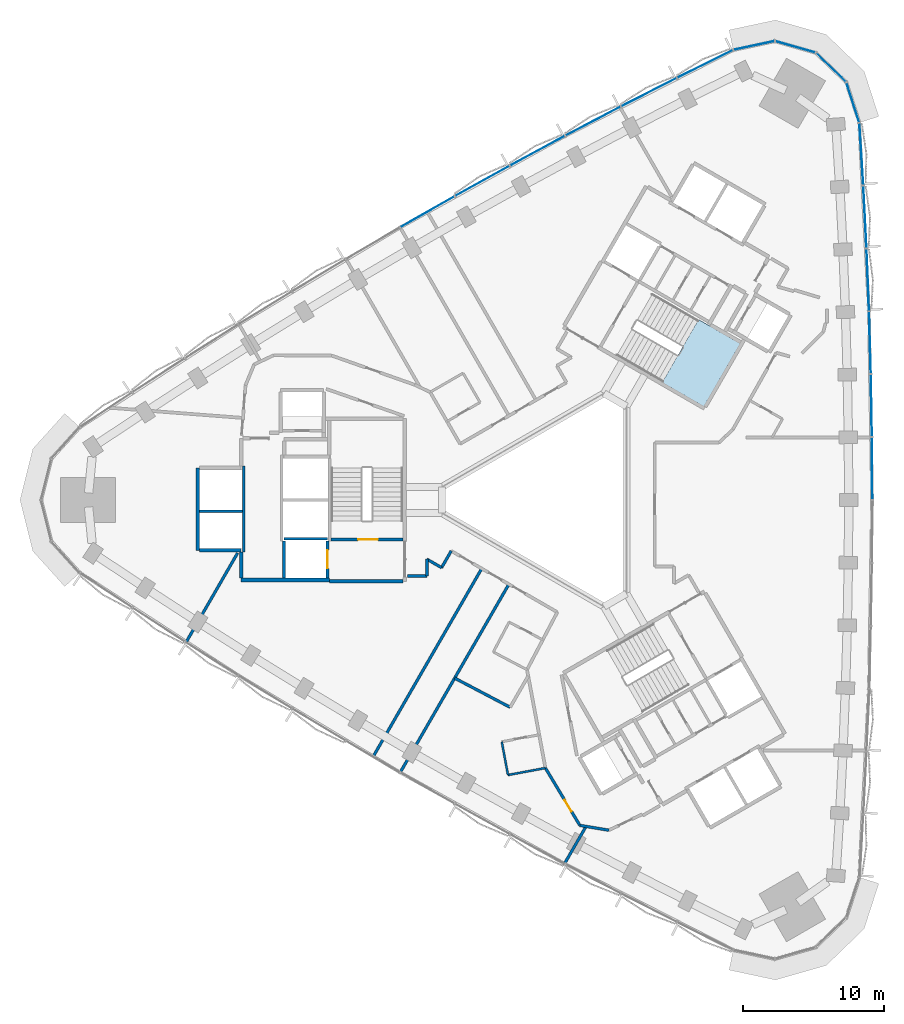
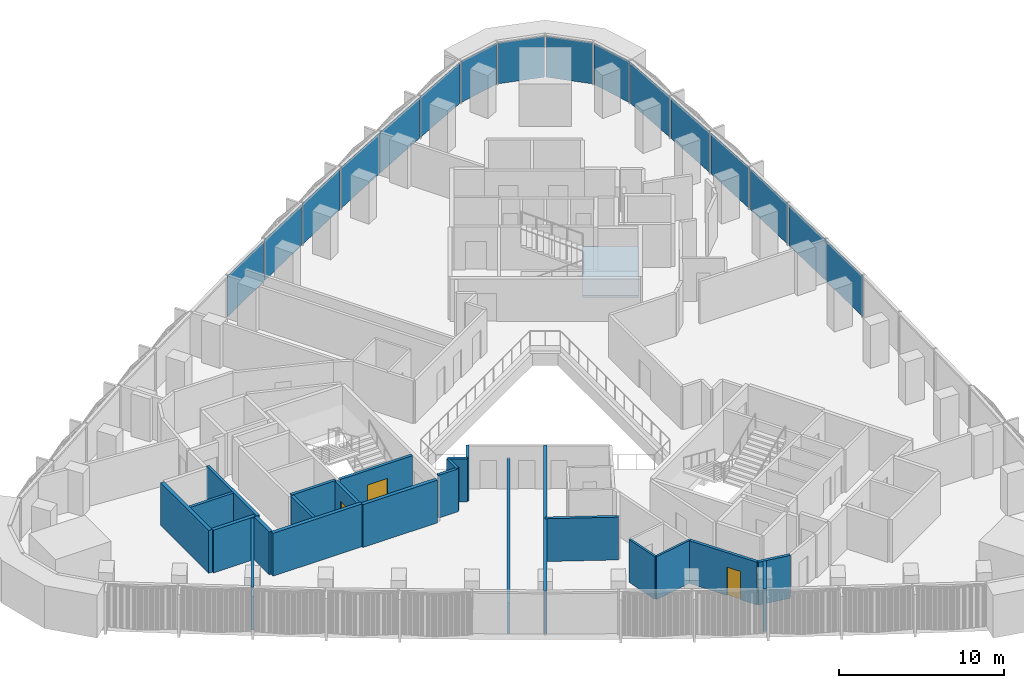
# One storey, part 7 of 15: 24 walls, 16 plates, 3 doors, 1 slab, 3 openings, 3 elements without a shape of their own.
"""IFC4 building model written with IfcOpenShell, lengths in metres."""

from ifc_helpers import new_model, si_unit, direction, frame, frame_2d, origin, origin_2d, place, context, subcontext, project, spatial, polyline, rectangle, outline, extrude, material, layer, layer_set, type_object, element, fill, aggregate, save


model = new_model("IFC4")

# Units and contexts
model_context = context("Model", 3, precision=1e-05, world=origin(), true_north=direction((0.0, 1.0)))
body_context = subcontext(model_context, "Body", "Model", "MODEL_VIEW")
ifc_project = project(units=[si_unit("LENGTHUNIT", "METRE"), si_unit("AREAUNIT", "SQUARE_METRE"), si_unit("VOLUMEUNIT", "CUBIC_METRE"), si_unit("PLANEANGLEUNIT", "RADIAN"), si_unit("MASSUNIT", "GRAM", prefix="KILO")], contexts=[model_context])

# Site, building, storey
site_placement = place(None, origin())
site = spatial("IfcSite", under=ifc_project, at=site_placement, CompositionType="ELEMENT")
building_placement = place(site_placement, origin())
building = spatial("IfcBuilding", under=site, at=building_placement, Name="Tamra Quay Hotel Tower", CompositionType="ELEMENT")
storey_placement = place(building_placement, frame((0.0, 0.0, 86.60009765625)))
storey = spatial("IfcBuildingStorey", under=building, at=storey_placement, Name="L20", CompositionType="ELEMENT", Elevation=86.60009765625)

# Stair, slab
ifc_material_1 = material(Name="Exit stair 2200 24 risers 150.0 going 342")
stair_type = type_object("IfcStairType", Name="Exit stair 2200 24 risers 150.0 going 342", PredefinedType="HALF_TURN_STAIR", material=ifc_material_1)
stair_placement = place(storey_placement, origin())
stair = element("IfcStair", 1, at=stair_placement, inside=storey, type_object=stair_type, Name="L20 Exit stair ST1", PredefinedType="HALF_TURN_STAIR")
ifc_material_2 = material(Name="Concrete M70", Category="concrete")
ifc_layer_1 = layer(ifc_material_2, 0.175048828125)
ifc_layer_set_1 = layer_set([ifc_layer_1], Name="Concrete M70 stair landing 180")
slab_type = type_object("IfcSlabType", Name="Concrete M70 stair landing 180", PredefinedType="LANDING", material=ifc_layer_set_1)
slab_placement = place(storey_placement, frame((0.0, 0.0, 1.625)))
slab = element("IfcSlab", 2, at=slab_placement, type_object=slab_type, Name="ST1 landing 1", PredefinedType="LANDING", context=body_context, shape_type="SweptSolid", body=[
    extrude(outline(polyline([(7.425048828125, 8.336669921875), (10.385009765625, 6.627685546875), (12.964599609375, 11.095458984375), (10.00439453125, 12.804443359375), (7.425048828125, 8.336669921875)])), origin(), (0.0, 0.0, 1.0), 0.1748046875),
])
aggregate(stair, [slab])

# Curtain wall, plates
ifc_material_3 = material(Name="Aluminium 6063 anodised dark grey", Category="aluminium")
curtain_wall_type_1 = type_object("IfcCurtainWallType", Name="CW1 CURTAIN WALL", PredefinedType="NOTDEFINED", material=ifc_material_3)
curtain_wall_1_placement = place(storey_placement, origin())
curtain_wall_1 = element("IfcCurtainWall", 3, at=curtain_wall_1_placement, inside=storey, type_object=curtain_wall_type_1, Name="CW1 east face L20", PredefinedType="NOTDEFINED")
ifc_material_4 = material(Name="Glass clear laminated low-iron", Category="glass")
ifc_layer_2 = layer(ifc_material_4, 0.033935546875)
ifc_layer_set_2 = layer_set([ifc_layer_2], Name="GLASS PANEL CW1 Z2")
plate_type_1 = type_object("IfcPlateType", Name="GLASS PANEL CW1 Z2", PredefinedType="CURTAIN_PANEL", material=ifc_layer_set_2)
plate_1_placement = place(storey_placement, frame((22.3203125, 2.23193359375, 0.0), z_axis=(0.0, 0.0, 1.0), x_axis=(-0.005712677225, 0.999983682526, 0.0)))
plate_1 = element("IfcPlate", 4, at=plate_1_placement, type_object=plate_type_1, Name="CW1 glass L20.E.7", PredefinedType="CURTAIN_PANEL", context=body_context, shape_type="SweptSolid", body=[
    extrude(rectangle(XDim=4.364013671875, YDim=0.033935546875, at=origin_2d()), origin(), (0.0, 0.0, 1.0), 3.034912109375),
])
plate_2_placement = place(storey_placement, frame((22.269287109375, 6.695556640625, 0.0), z_axis=(0.0, 0.0, 1.0), x_axis=(-0.017133900698, 0.999853203949, 0.0)))
plate_2 = element("IfcPlate", 5, at=plate_2_placement, type_object=plate_type_1, Name="CW1 glass L20.E.8", PredefinedType="CURTAIN_PANEL", context=body_context, shape_type="SweptSolid", body=[
    extrude(rectangle(XDim=4.364013671875, YDim=0.033935546875, at=origin_2d()), origin(), (0.0, 0.0, 1.0), 3.034912109375),
])
plate_3_placement = place(storey_placement, frame((22.167236328125, 11.158203125, 0.0), z_axis=(0.0, 0.0, 1.0), x_axis=(-0.028546238865, 0.999592473084, 0.0)))
plate_3 = element("IfcPlate", 6, at=plate_3_placement, type_object=plate_type_1, Name="CW1 glass L20.E.9", PredefinedType="CURTAIN_PANEL", context=body_context, shape_type="SweptSolid", body=[
    extrude(rectangle(XDim=4.364013671875, YDim=0.033935546875, at=origin_2d()), origin(), (0.0, 0.0, 1.0), 3.034912109375),
])
plate_4_placement = place(storey_placement, frame((22.014404296875, 15.61962890625, 0.0), z_axis=(0.0, 0.0, 1.0), x_axis=(-0.039943755239, 0.999201929751, 0.0)))
plate_4 = element("IfcPlate", 7, at=plate_4_placement, type_object=plate_type_1, Name="CW1 glass L20.E.10", PredefinedType="CURTAIN_PANEL", context=body_context, shape_type="SweptSolid", body=[
    extrude(rectangle(XDim=4.364013671875, YDim=0.033935546875, at=origin_2d()), origin(), (0.0, 0.0, 1.0), 3.034912109375),
])
plate_5_placement = place(storey_placement, frame((21.810791015625, 20.078857421875, 0.0), z_axis=(0.0, 0.0, 1.0), x_axis=(-0.051320550821, 0.998682232276, 0.0)))
plate_5 = element("IfcPlate", 8, at=plate_5_placement, type_object=plate_type_1, Name="CW1 glass L20.E.11", PredefinedType="CURTAIN_PANEL", context=body_context, shape_type="SweptSolid", body=[
    extrude(rectangle(XDim=4.364013671875, YDim=0.033935546875, at=origin_2d()), origin(), (0.0, 0.0, 1.0), 3.034912109375),
])
plate_6_placement = place(storey_placement, frame((21.556396484375, 24.53515625, 0.0), z_axis=(0.0, 0.0, 1.0), x_axis=(-0.062670105733, 0.998034296929, 0.0)))
plate_6 = element("IfcPlate", 9, at=plate_6_placement, type_object=plate_type_1, Name="CW1 glass L20.E.12", PredefinedType="CURTAIN_PANEL", context=body_context, shape_type="SweptSolid", body=[
    extrude(rectangle(XDim=4.363525390625, YDim=0.033935546875, at=origin_2d()), origin(), (0.0, 0.0, 1.0), 3.034912109375),
])
plate_7_placement = place(storey_placement, frame((20.9521484375, 28.197509765625, 0.0), z_axis=(0.0, 0.0, 1.0), x_axis=(-0.307790863622, 0.951454036867, 0.0)))
plate_7 = element("IfcPlate", 10, at=plate_7_placement, type_object=plate_type_1, Name="CW1 glass L20.E.13", PredefinedType="CURTAIN_PANEL", context=body_context, shape_type="SweptSolid", body=[
    extrude(rectangle(XDim=2.916748046875, YDim=0.033935546875, at=origin_2d()), origin(), (0.0, 0.0, 1.0), 3.034912109375),
])
plate_8_placement = place(storey_placement, frame((19.4033203125, 30.680908203125, 0.0), z_axis=(0.0, 0.0, 1.0), x_axis=(-0.71904127153, 0.694967373217, 0.0)))
plate_8 = element("IfcPlate", 11, at=plate_8_placement, type_object=plate_type_1, Name="CW1 glass L20.E.14", PredefinedType="CURTAIN_PANEL", context=body_context, shape_type="SweptSolid", body=[
    extrude(rectangle(XDim=2.916748046875, YDim=0.033935546875, at=origin_2d()), origin(), (0.0, 0.0, 1.0), 3.034912109375),
])
plate_9_placement = place(storey_placement, frame((16.868896484375, 32.144287109375, 0.0), z_axis=(0.0, 0.0, 1.0), x_axis=(-0.961380035772, 0.275224320906, 0.0)))
plate_9 = element("IfcPlate", 12, at=plate_9_placement, type_object=plate_type_1, Name="CW1 glass L20.E.15", PredefinedType="CURTAIN_PANEL", context=body_context, shape_type="SweptSolid", body=[
    extrude(rectangle(XDim=2.916748046875, YDim=0.033935546875, at=origin_2d()), origin(), (0.0, 0.0, 1.0), 3.034912109375),
])
plate_10_placement = place(storey_placement, frame((13.94384765625, 32.243896484375, 0.0), z_axis=(0.0, 0.0, 1.0), x_axis=(-0.977878798271, -0.209172311484, 0.0)))
plate_10 = element("IfcPlate", 13, at=plate_10_placement, type_object=plate_type_1, Name="CW1 glass L20.E.16", PredefinedType="CURTAIN_PANEL", context=body_context, shape_type="SweptSolid", body=[
    extrude(rectangle(XDim=2.916748046875, YDim=0.033935546875, at=origin_2d()), origin(), (0.0, 0.0, 1.0), 3.034912109375),
])
aggregate(curtain_wall_1, [plate_1, plate_2, plate_3, plate_4, plate_5, plate_6, plate_7, plate_8, plate_9, plate_10])

curtain_wall_type_2 = type_object("IfcCurtainWallType", Name="CW2 CURTAIN WALL", PredefinedType="NOTDEFINED", material=ifc_material_3)
curtain_wall_2_placement = place(storey_placement, origin())
curtain_wall_2 = element("IfcCurtainWall", 14, at=curtain_wall_2_placement, inside=storey, type_object=curtain_wall_type_2, Name="CW2 north-west face L20", PredefinedType="NOTDEFINED")
ifc_layer_3 = layer(ifc_material_4, 0.033935546875)
ifc_layer_set_3 = layer_set([ifc_layer_3], Name="GLASS PANEL CW2 Z2")
plate_type_2 = type_object("IfcPlateType", Name="GLASS PANEL CW2 Z2", PredefinedType="CURTAIN_PANEL", material=ifc_layer_set_3)
plate_11_placement = place(storey_placement, frame((10.469970703125, 30.935791015625, 0.0), z_axis=(0.0, 0.0, 1.0), x_axis=(-0.895658107856, -0.444743244842, 0.0)))
plate_11 = element("IfcPlate", 15, at=plate_11_placement, type_object=plate_type_2, Name="CW2 glass L20.NW.1", PredefinedType="CURTAIN_PANEL", context=body_context, shape_type="SweptSolid", body=[
    extrude(rectangle(XDim=4.363525390625, YDim=0.033935546875, at=origin_2d()), origin(), (0.0, 0.0, 1.0), 3.034912109375),
])
plate_12_placement = place(storey_placement, frame((6.4833984375, 28.927978515625, 0.0), z_axis=(0.0, 0.0, 1.0), x_axis=(-0.89054445887, -0.454896215391, 0.0)))
plate_12 = element("IfcPlate", 16, at=plate_12_placement, type_object=plate_type_2, Name="CW2 glass L20.NW.2", PredefinedType="CURTAIN_PANEL", context=body_context, shape_type="SweptSolid", body=[
    extrude(rectangle(XDim=4.364013671875, YDim=0.033935546875, at=origin_2d()), origin(), (0.0, 0.0, 1.0), 3.034912109375),
])
plate_13_placement = place(storey_placement, frame((2.519775390625, 26.874755859375, 0.0), z_axis=(0.0, 0.0, 1.0), x_axis=(-0.885306132294, -0.465008658116, 0.0)))
plate_13 = element("IfcPlate", 17, at=plate_13_placement, type_object=plate_type_2, Name="CW2 glass L20.NW.3", PredefinedType="CURTAIN_PANEL", context=body_context, shape_type="SweptSolid", body=[
    extrude(rectangle(XDim=4.364013671875, YDim=0.033935546875, at=origin_2d()), origin(), (0.0, 0.0, 1.0), 3.034912109375),
])
plate_14_placement = place(storey_placement, frame((-1.420166015625, 24.776611328125, 0.0), z_axis=(0.0, 0.0, 1.0), x_axis=(-0.879945594555, -0.475074468502, 0.0)))
plate_14 = element("IfcPlate", 18, at=plate_14_placement, type_object=plate_type_2, Name="CW2 glass L20.NW.4", PredefinedType="CURTAIN_PANEL", context=body_context, shape_type="SweptSolid", body=[
    extrude(rectangle(XDim=4.364013671875, YDim=0.033935546875, at=origin_2d()), origin(), (0.0, 0.0, 1.0), 3.034912109375),
])
plate_15_placement = place(storey_placement, frame((-5.336181640625, 22.633544921875, 0.0), z_axis=(0.0, 0.0, 1.0), x_axis=(-0.874465225024, -0.485088208704, 0.0)))
plate_15 = element("IfcPlate", 19, at=plate_15_placement, type_object=plate_type_2, Name="CW2 glass L20.NW.5", PredefinedType="CURTAIN_PANEL", context=body_context, shape_type="SweptSolid", body=[
    extrude(rectangle(XDim=4.364013671875, YDim=0.033935546875, at=origin_2d()), origin(), (0.0, 0.0, 1.0), 3.034912109375),
])
plate_16_placement = place(storey_placement, frame((-9.227294921875, 20.44580078125, 0.0), z_axis=(0.0, 0.0, 1.0), x_axis=(-0.86886761105, -0.495044517663, 0.0)))
plate_16 = element("IfcPlate", 20, at=plate_16_placement, type_object=plate_type_2, Name="CW2 glass L20.NW.6", PredefinedType="CURTAIN_PANEL", context=body_context, shape_type="SweptSolid", body=[
    extrude(rectangle(XDim=4.364013671875, YDim=0.033935546875, at=origin_2d()), origin(), (0.0, 0.0, 1.0), 3.034912109375),
])
aggregate(curtain_wall_2, [plate_11, plate_12, plate_13, plate_14, plate_15, plate_16])

# Wall
ifc_layer_4 = layer(ifc_material_2, 0.199951171875)
ifc_layer_set_4 = layer_set([ifc_layer_4], Name="Concrete M70 core wall 200")
wall_type_1 = type_object("IfcWallType", Name="Concrete M70 core wall 200", PredefinedType="SHEAR", material=ifc_layer_set_4)
wall_1_placement = place(storey_placement, frame((-22.26220703125, 2.400146484375, 0.0), z_axis=(0.0, 0.0, 1.0), x_axis=(0.0, -1.0, 0.0)))
element("IfcWall", 21, at=wall_1_placement, inside=storey, type_object=wall_type_1, Name="CW2", PredefinedType="SHEAR", context=body_context, shape_type="SweptSolid", body=[
    extrude(rectangle(XDim=6.100341796875, YDim=0.199951171875, at=frame_2d((3.05029296875, 0.0))), origin(), (0.0, 0.0, 1.0), 3.1748046875),
])

# Wall, opening, door
wall_2_placement = place(storey_placement, frame((-10.96337890625, -2.800048828125, 0.0), z_axis=(0.0, 0.0, 1.0), x_axis=(-1.0, 0.0, 0.0)))
wall_2 = element("IfcWall", 22, at=wall_2_placement, inside=storey, type_object=wall_type_1, Name="CW2", PredefinedType="SHEAR", context=body_context, shape_type="SweptSolid", body=[
    extrude(rectangle(XDim=5.097900390625, YDim=0.199951171875, at=frame_2d((2.548828125, 0.0))), origin(), (0.0, 0.0, 1.0), 3.1748046875),
])
opening_1_placement = place(wall_2_placement, frame((1.77392578125, 0.0, 0.0)))
opening_1 = element("IfcOpeningElement", 23, at=opening_1_placement, cuts=wall_2, Name="Opening FD2", PredefinedType="OPENING", context=body_context, shape_type="SweptSolid", body=[
    extrude(rectangle(XDim=1.39990234375, YDim=2.10009765625, at=frame_2d((0.699951171875, 1.050048828125))), frame((0.0, 0.10986328125, 0.0), z_axis=(0.0, -1.0, 0.0), x_axis=(1.0, 0.0, 0.0)), (0.0, 0.0, 1.0), 0.219970703125),
])
ifc_material_5 = material(Name="Core door FD2 1400x2100 LH")
door_type_1 = type_object("IfcDoorType", Name="Core door FD2 1400x2100 LH", OperationType="NOTDEFINED", PredefinedType="DOOR", material=ifc_material_5)
door_1_placement = place(opening_1_placement, origin())
door_1 = element("IfcDoor", 24, at=door_1_placement, inside=storey, type_object=door_type_1, Name="FD2", OperationType="SINGLE_SWING_LEFT", OverallHeight=2.10009765625, OverallWidth=1.39990234375, PredefinedType="DOOR", context=body_context, shape_type="SweptSolid", body=[
    extrude(rectangle(XDim=1.39990234375, YDim=2.10009765625, at=frame_2d((0.699951171875, 1.050048828125))), frame((0.0, 0.02490234375, 0.0), z_axis=(0.0, -1.0, 0.0), x_axis=(1.0, 0.0, 0.0)), (0.0, 0.0, 1.0), 0.050048828125),
])
fill(opening_1, door_1)

# Walls
wall_3_placement = place(storey_placement, frame((-22.36328125, -0.800048828125, 0.0), z_axis=(0.0, 0.0, 1.0), x_axis=(-1.0, 0.0, 0.0)))
element("IfcWall", 25, at=wall_3_placement, inside=storey, type_object=wall_type_1, Name="CW2", PredefinedType="SHEAR", context=body_context, shape_type="SweptSolid", body=[
    extrude(rectangle(XDim=3.048095703125, YDim=0.199951171875, at=frame_2d((1.52392578125, 0.0))), origin(), (0.0, 0.0, 1.0), 3.1748046875),
])
wall_4_placement = place(storey_placement, frame((-19.412353515625, -2.75, 0.0), z_axis=(0.0, 0.0, 1.0), x_axis=(1.0, 0.0, 0.0)))
element("IfcWall", 26, at=wall_4_placement, inside=storey, type_object=wall_type_1, Name="CW2", PredefinedType="SHEAR", context=body_context, shape_type="SweptSolid", body=[
    extrude(rectangle(XDim=3.10009765625, YDim=0.199951171875, at=frame_2d((1.550048828125, 0.0))), origin(), (0.0, 0.0, 1.0), 3.1748046875),
])

# Wall, opening, door
wall_5_placement = place(storey_placement, frame((-16.312255859375, -2.898193359375, 0.0), z_axis=(0.0, 0.0, 1.0), x_axis=(0.0, -1.0, 0.0)))
wall_5 = element("IfcWall", 27, at=wall_5_placement, inside=storey, type_object=wall_type_1, Name="CW2", PredefinedType="SHEAR", context=body_context, shape_type="SweptSolid", body=[
    extrude(rectangle(XDim=2.65087890625, YDim=0.199951171875, at=frame_2d((1.325439453125, 0.0))), origin(), (0.0, 0.0, 1.0), 3.1748046875),
])
opening_2_placement = place(wall_5_placement, frame((0.65185546875, 0.0, 0.0)))
opening_2 = element("IfcOpeningElement", 28, at=opening_2_placement, cuts=wall_5, Name="Opening LD", PredefinedType="OPENING", context=body_context, shape_type="SweptSolid", body=[
    extrude(rectangle(XDim=1.300048828125, YDim=2.10009765625, at=frame_2d((0.64990234375, 1.050048828125))), frame((0.0, 0.10986328125, 0.0), z_axis=(0.0, -1.0, 0.0), x_axis=(1.0, 0.0, 0.0)), (0.0, 0.0, 1.0), 0.219970703125),
])
ifc_material_6 = material(Name="Landing door LD 1300 sliding to left")
door_type_2 = type_object("IfcDoorType", Name="Landing door LD 1300 sliding to left", OperationType="NOTDEFINED", PredefinedType="DOOR", material=ifc_material_6)
door_2_placement = place(opening_2_placement, origin())
door_2 = element("IfcDoor", 29, at=door_2_placement, inside=storey, type_object=door_type_2, Name="LD", OperationType="SLIDING_TO_LEFT", OverallHeight=2.10009765625, OverallWidth=1.300048828125, PredefinedType="DOOR", context=body_context, shape_type="SweptSolid", body=[
    extrude(rectangle(XDim=1.300048828125, YDim=2.10009765625, at=frame_2d((0.64990234375, 1.050048828125))), frame((0.0, 0.02490234375, 0.0), z_axis=(0.0, -1.0, 0.0), x_axis=(1.0, 0.0, 0.0)), (0.0, 0.0, 1.0), 0.050048828125),
])
fill(opening_2, door_2)

# Walls
wall_6_placement = place(storey_placement, frame((-19.412353515625, -5.549072265625, 0.0), z_axis=(0.0, 0.0, 1.0), x_axis=(0.0, 1.0, 0.0)))
element("IfcWall", 30, at=wall_6_placement, inside=storey, type_object=wall_type_1, Name="CW2", PredefinedType="SHEAR", context=body_context, shape_type="SweptSolid", body=[
    extrude(rectangle(XDim=2.65087890625, YDim=0.199951171875, at=frame_2d((1.325439453125, 0.0))), origin(), (0.0, 0.0, 1.0), 3.1748046875),
])
ifc_layer_5 = layer(ifc_material_2, 0.25)
ifc_layer_set_5 = layer_set([ifc_layer_5], Name="Concrete M70 core wall 250")
wall_type_2 = type_object("IfcWallType", Name="Concrete M70 core wall 250", PredefinedType="SHEAR", material=ifc_layer_set_5)
wall_7_placement = place(storey_placement, frame((-16.187255859375, -5.675048828125, 0.0), z_axis=(0.0, 0.0, 1.0), x_axis=(-1.0, 0.0, 0.0)))
element("IfcWall", 31, at=wall_7_placement, inside=storey, type_object=wall_type_2, Name="CW1", PredefinedType="SHEAR", context=body_context, shape_type="SweptSolid", body=[
    extrude(rectangle(XDim=6.25, YDim=0.25, at=frame_2d((3.125, 0.0))), origin(), (0.0, 0.0, 1.0), 3.1748046875),
])
wall_8_placement = place(storey_placement, frame((-25.537353515625, -3.574951171875, 0.0), z_axis=(0.0, 0.0, 1.0), x_axis=(0.0, 1.0, 0.0)))
element("IfcWall", 32, at=wall_8_placement, inside=storey, type_object=wall_type_2, Name="CW1", PredefinedType="SHEAR", context=body_context, shape_type="SweptSolid", body=[
    extrude(rectangle(XDim=5.849853515625, YDim=0.25, at=frame_2d((2.9248046875, 0.0))), origin(), (0.0, 0.0, 1.0), 3.1748046875),
])
wall_9_placement = place(storey_placement, frame((-10.962646484375, -5.77490234375, 0.0), z_axis=(0.0, 0.0, 1.0), x_axis=(-1.0, 0.0, 0.0)))
element("IfcWall", 33, at=wall_9_placement, inside=storey, type_object=wall_type_2, Name="CW1", PredefinedType="SHEAR", context=body_context, shape_type="SweptSolid", body=[
    extrude(rectangle(XDim=5.224609375, YDim=0.25, at=frame_2d((2.6123046875, 0.0))), origin(), (0.0, 0.0, 1.0), 3.1748046875),
])
wall_10_placement = place(storey_placement, frame((-22.437255859375, -3.574951171875, 0.0), z_axis=(0.0, 0.0, 1.0), x_axis=(-1.0, 0.0, 0.0)))
element("IfcWall", 34, at=wall_10_placement, inside=storey, type_object=wall_type_2, Name="CW1", PredefinedType="SHEAR", context=body_context, shape_type="SweptSolid", body=[
    extrude(rectangle(XDim=2.974609375, YDim=0.25, at=frame_2d((1.4873046875, 0.0))), origin(), (0.0, 0.0, 1.0), 3.1748046875),
])
wall_11_placement = place(storey_placement, frame((-22.437255859375, -5.549560546875, 0.0), z_axis=(0.0, 0.0, 1.0), x_axis=(0.0, 1.0, 0.0)))
element("IfcWall", 35, at=wall_11_placement, inside=storey, type_object=wall_type_2, Name="CW1", PredefinedType="SHEAR", context=body_context, shape_type="SweptSolid", body=[
    extrude(rectangle(XDim=1.84912109375, YDim=0.25, at=frame_2d((0.924560546875, 0.0))), origin(), (0.0, 0.0, 1.0), 3.1748046875),
])
ifc_material_7 = material(Name="Partition corridor wall")
ifc_layer_6 = layer(ifc_material_7, 0.199951171875)
ifc_layer_set_6 = layer_set([ifc_layer_6], Name="Partition corridor wall")
wall_type_3 = type_object("IfcWallType", Name="Partition corridor wall", PredefinedType="PARTITIONING", material=ifc_layer_set_6)
wall_12_placement = place(storey_placement, frame((-10.65234375, -5.39990234375, 0.0), z_axis=(0.0, 0.0, 1.0), x_axis=(1.0, 0.0, 0.0)))
element("IfcWall", 36, at=wall_12_placement, inside=storey, type_object=wall_type_3, Name="W-C", PredefinedType="PARTITIONING", context=body_context, shape_type="SweptSolid", body=[
    extrude(rectangle(XDim=1.390380859375, YDim=0.199951171875, at=frame_2d((0.6953125, 0.0))), origin(), (0.0, 0.0, 1.0), 3.1748046875),
])
for number, where, z_axis, x_axis, name in (
    (37, (-9.261962890625, -5.39990234375, 0.0), (0.0, 0.0, 1.0), (0.0, 1.0, 0.0), "W-C"),
    (38, (-9.261962890625, -4.199951171875, 0.0), (0.0, 0.0, 1.0), (0.865955154139, -0.50012165622, 0.0), "W-C"),
):
    element("IfcWall", number, at=place(storey_placement, frame(where, z_axis=z_axis, x_axis=x_axis)), inside=storey, type_object=wall_type_3, Name=name, PredefinedType="PARTITIONING", context=body_context, shape_type="SweptSolid", body=[
        extrude(rectangle(XDim=1.199951171875, YDim=0.199951171875, at=frame_2d((0.60009765625, 0.0))), origin(), (0.0, 0.0, 1.0), 3.1748046875),
    ])
wall_13_placement = place(storey_placement, frame((-8.222900390625, -4.800048828125, 0.0), z_axis=(0.0, 0.0, 1.0), x_axis=(0.499804837697, 0.866138051476, 0.0)))
element("IfcWall", 39, at=wall_13_placement, inside=storey, type_object=wall_type_3, Name="W-C", PredefinedType="PARTITIONING", context=body_context, shape_type="SweptSolid", body=[
    extrude(rectangle(XDim=1.3681640625, YDim=0.199951171875, at=frame_2d((0.68408203125, 0.0))), origin(), (0.0, 0.0, 1.0), 3.1748046875),
])

# Wall, opening, door
wall_14_placement = place(storey_placement, frame((-0.85791015625, -19.01708984375, 0.0), z_axis=(0.0, 0.0, 1.0), x_axis=(0.514586543775, -0.857438446167, 0.0)))
wall_14 = element("IfcWall", 40, at=wall_14_placement, inside=storey, type_object=wall_type_3, Name="W-C", PredefinedType="PARTITIONING", context=body_context, shape_type="SweptSolid", body=[
    extrude(rectangle(XDim=4.745361328125, YDim=0.199951171875, at=frame_2d((2.37255859375, 0.0))), origin(), (0.0, 0.0, 1.0), 3.1748046875),
])
opening_3_placement = place(wall_14_placement, frame((2.64990234375, 0.0, 0.0)))
opening_3 = element("IfcOpeningElement", 41, at=opening_3_placement, cuts=wall_14, Name="Opening L20-D017", PredefinedType="OPENING", context=body_context, shape_type="SweptSolid", body=[
    extrude(rectangle(XDim=0.949951171875, YDim=2.10009765625, at=frame_2d((0.47509765625, 1.050048828125))), frame((0.0, 0.10986328125, 0.0), z_axis=(0.0, -1.0, 0.0), x_axis=(1.0, 0.0, 0.0)), (0.0, 0.0, 1.0), 0.219970703125),
])
ifc_material_8 = material(Name="Door guest room 950x2100")
door_type_3 = type_object("IfcDoorType", Name="Door guest room 950x2100", OperationType="NOTDEFINED", PredefinedType="DOOR", material=ifc_material_8)
door_3_placement = place(opening_3_placement, frame((0.949951171875, 0.0, 0.0), z_axis=(0.0, 0.0, 1.0), x_axis=(-1.0, 0.0, 0.0)))
door_3 = element("IfcDoor", 42, at=door_3_placement, inside=storey, type_object=door_type_3, Name="L20-D017", OperationType="SINGLE_SWING_LEFT", OverallHeight=2.10009765625, OverallWidth=0.949951171875, PredefinedType="DOOR", context=body_context, shape_type="SweptSolid", body=[
    extrude(rectangle(XDim=0.949951171875, YDim=2.10009765625, at=frame_2d((0.47509765625, 1.050048828125))), frame((0.0, 0.02490234375, 0.0), z_axis=(0.0, -1.0, 0.0), x_axis=(1.0, 0.0, 0.0)), (0.0, 0.0, 1.0), 0.050048828125),
])
fill(opening_3, door_3)

# Walls
wall_15_placement = place(storey_placement, frame((1.583984375, -23.0859375, 0.0), z_axis=(0.0, 0.0, 1.0), x_axis=(0.986516952697, -0.163659103145, 0.0)))
element("IfcWall", 43, at=wall_15_placement, inside=storey, type_object=wall_type_3, Name="W-C", PredefinedType="PARTITIONING", context=body_context, shape_type="SweptSolid", body=[
    extrude(rectangle(XDim=2.0869140625, YDim=0.199951171875, at=frame_2d((1.04345703125, 0.0))), origin(), (0.0, 0.0, 1.0), 3.1748046875),
])
ifc_material_9 = material(Name="Partition en-suite wall")
ifc_layer_7 = layer(ifc_material_9, 0.14990234375)
ifc_layer_set_7 = layer_set([ifc_layer_7], Name="Partition en-suite wall")
wall_type_4 = type_object("IfcWallType", Name="Partition en-suite wall", PredefinedType="PARTITIONING", material=ifc_layer_set_7)
wall_16_placement = place(storey_placement, frame((-3.952880859375, -17.154052734375, 0.0), z_axis=(0.0, 0.0, 1.0), x_axis=(0.184030127449, -0.982920603198, 0.0)))
element("IfcWall", 44, at=wall_16_placement, inside=storey, type_object=wall_type_4, Name="W-E", PredefinedType="PARTITIONING", context=body_context, shape_type="SweptSolid", body=[
    extrude(rectangle(XDim=2.39599609375, YDim=0.14990234375, at=frame_2d((1.197998046875, 0.0))), origin(), (0.0, 0.0, 1.0), 3.1748046875),
])
wall_17_placement = place(storey_placement, frame((-3.510009765625, -19.510986328125, 0.0), z_axis=(0.0, 0.0, 1.0), x_axis=(0.982950973509, 0.183867842969, 0.0)))
element("IfcWall", 45, at=wall_17_placement, inside=storey, type_object=wall_type_4, Name="W-E", PredefinedType="PARTITIONING", context=body_context, shape_type="SweptSolid", body=[
    extrude(rectangle(XDim=2.697998046875, YDim=0.14990234375, at=frame_2d((1.34912109375, 0.0))), origin(), (0.0, 0.0, 1.0), 3.1748046875),
])
ifc_material_10 = material(Name="Partition party wall")
ifc_layer_8 = layer(ifc_material_10, 0.199951171875)
ifc_layer_set_8 = layer_set([ifc_layer_8], Name="Partition party wall")
wall_type_5 = type_object("IfcWallType", Name="Partition party wall", PredefinedType="PARTITIONING", material=ifc_layer_set_8)
wall_18_placement = place(storey_placement, frame((-26.353515625, -10.099609375, 0.0), z_axis=(0.0, 0.0, 1.0), x_axis=(0.499973624332, 0.866040631248, 0.0)))
element("IfcWall", 46, at=wall_18_placement, inside=storey, type_object=wall_type_5, Name="W-P", PredefinedType="PARTITIONING", context=body_context, shape_type="SweptSolid", body=[
    extrude(rectangle(XDim=7.3203125, YDim=0.199951171875, at=frame_2d((3.66015625, 0.0))), origin(), (0.0, 0.0, 1.0), 3.1748046875),
])
wall_19_placement = place(storey_placement, frame((-13.08203125, -18.214599609375, 0.0), z_axis=(0.0, 0.0, 1.0), x_axis=(0.499954600016, 0.866051613891, 0.0)))
element("IfcWall", 47, at=wall_19_placement, inside=storey, type_object=wall_type_5, Name="W-P", PredefinedType="PARTITIONING", context=body_context, shape_type="SweptSolid", body=[
    extrude(rectangle(XDim=15.41552734375, YDim=0.199951171875, at=frame_2d((7.707763671875, 0.0))), origin(), (0.0, 0.0, 1.0), 2.27490234375),
])
wall_20_placement = place(storey_placement, frame((-11.1630859375, -19.337158203125, 0.0), z_axis=(0.0, 0.0, 1.0), x_axis=(0.499956700234, 0.866050401473, 0.0)))
element("IfcWall", 48, at=wall_20_placement, inside=storey, type_object=wall_type_5, Name="W-P", PredefinedType="PARTITIONING", context=body_context, shape_type="SweptSolid", body=[
    extrude(rectangle(XDim=15.427490234375, YDim=0.199951171875, at=frame_2d((7.7138671875, 0.0))), origin(), (0.0, 0.0, 1.0), 3.1748046875),
])
wall_21_placement = place(storey_placement, frame((-7.2958984375, -12.635986328125, 0.0), z_axis=(0.0, 0.0, 1.0), x_axis=(0.885017012747, -0.465558682819, 0.0)))
element("IfcWall", 49, at=wall_21_placement, inside=storey, type_object=wall_type_5, Name="W-P", PredefinedType="PARTITIONING", context=body_context, shape_type="SweptSolid", body=[
    extrude(rectangle(XDim=4.448486328125, YDim=0.199951171875, at=frame_2d((2.22412109375, 0.0))), origin(), (0.0, 0.0, 1.0), 3.1748046875),
])
wall_22_placement = place(storey_placement, frame((0.49560546875, -25.80517578125, 0.0), z_axis=(0.0, 0.0, 1.0), x_axis=(0.500125851006, 0.865952731479, 0.0)))
element("IfcWall", 50, at=wall_22_placement, inside=storey, type_object=wall_type_5, Name="W-P", PredefinedType="PARTITIONING", context=body_context, shape_type="SweptSolid", body=[
    extrude(rectangle(XDim=3.055908203125, YDim=0.199951171875, at=frame_2d((1.52783203125, 0.0))), origin(), (0.0, 0.0, 1.0), 3.1748046875),
])

save(model, "model.ifc")
